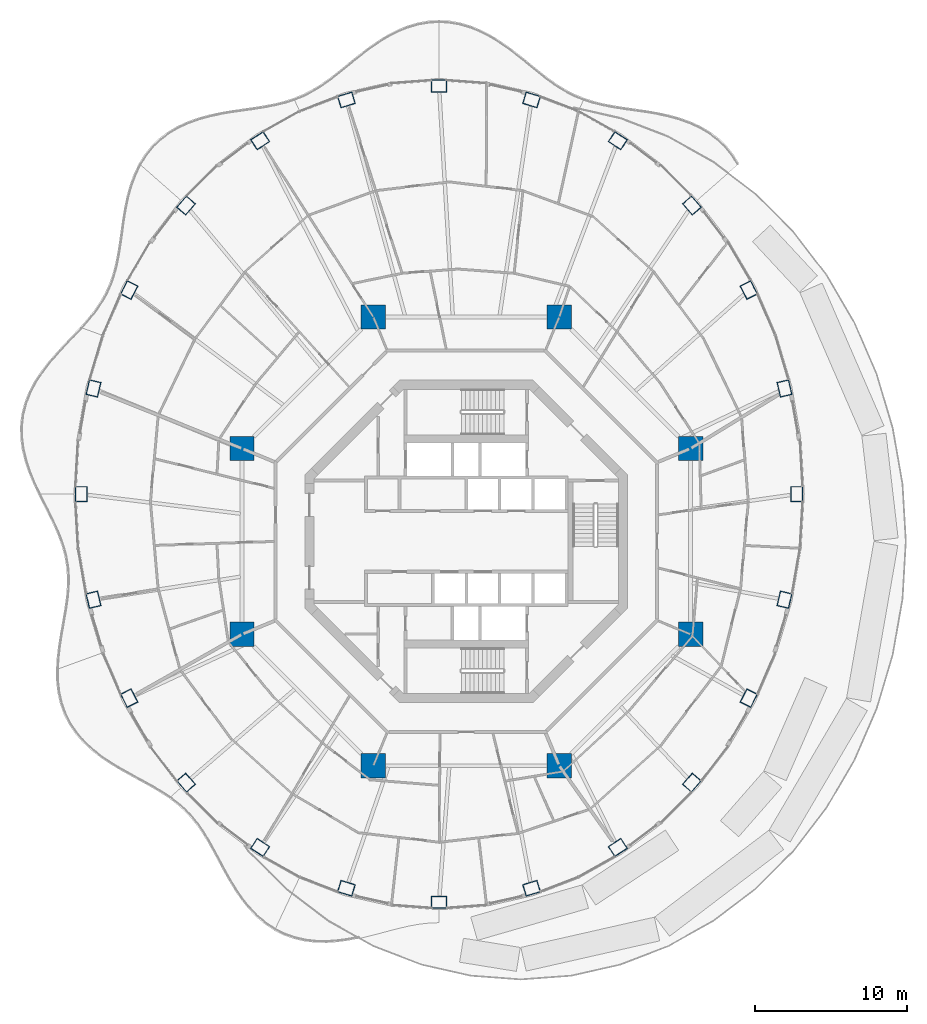
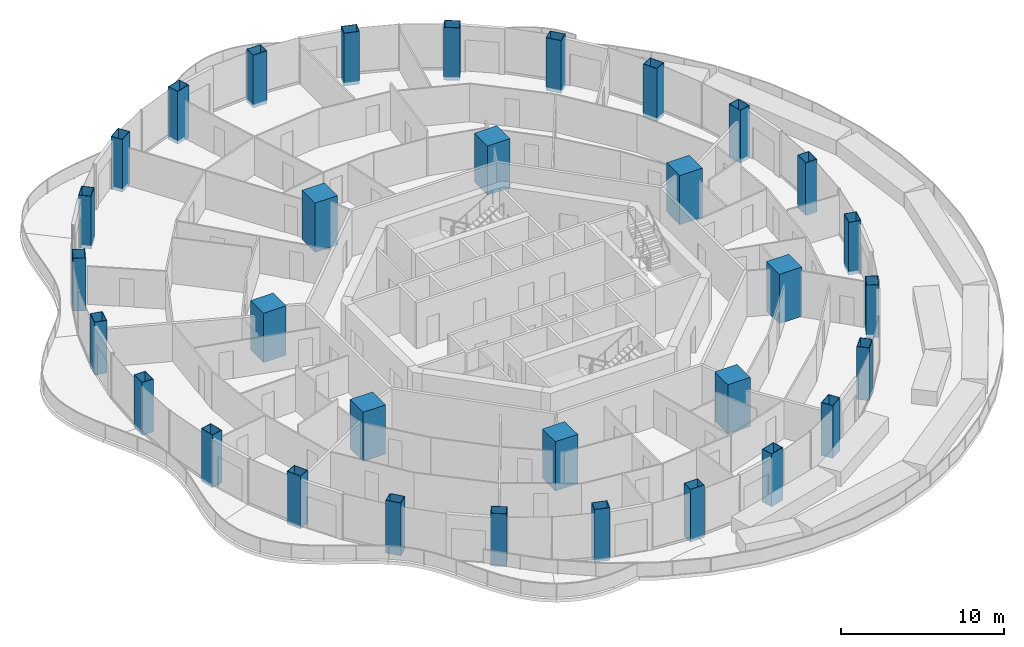
# One storey, part 1 of 18: 32 columns.
"""IFC4 building model written with IfcOpenShell, lengths in metres."""

from ifc_helpers import new_model, si_unit, direction, frame, origin, origin_2d, place, context, subcontext, project, spatial, rectangle, hollow_rectangle, extrude, material, material_profile, profile_set, type_object, element, save


model = new_model("IFC4")

# Units and contexts
model_context = context("Model", 3, precision=1e-05, world=origin(), true_north=direction((0.0, 1.0)))
body_context = subcontext(model_context, "Body", "Model", "MODEL_VIEW")
ifc_project = project(units=[si_unit("LENGTHUNIT", "METRE"), si_unit("AREAUNIT", "SQUARE_METRE"), si_unit("VOLUMEUNIT", "CUBIC_METRE"), si_unit("PLANEANGLEUNIT", "RADIAN"), si_unit("MASSUNIT", "GRAM", prefix="KILO")], contexts=[model_context])

# Site, building, storey
site_placement = place(None, origin())
site = spatial("IfcSite", under=ifc_project, at=site_placement, CompositionType="ELEMENT")
building_placement = place(site_placement, origin())
building = spatial("IfcBuilding", under=site, at=building_placement, Name="Nagisa Residences", CompositionType="ELEMENT")
storey_placement = place(building_placement, frame((0.0, 0.0, 212.199951171875)))
storey = spatial("IfcBuildingStorey", under=building, at=storey_placement, Name="L53", CompositionType="ELEMENT", Elevation=212.199951171875)

# Columns
ifc_material_1 = material(Name="Concrete C80", Category="concrete")
ifc_material_profile_1 = material_profile(ifc_material_1, rectangle(XDim=1.60009765625, YDim=1.60009765625, at=origin_2d()), Name="C80 1600x1600")
ifc_profile_set_1 = profile_set([ifc_material_profile_1], Name="Concrete C80")
column_type_1 = type_object("IfcColumnType", Name="Inner megacolumn C80 1600x1600", PredefinedType="COLUMN", material=ifc_profile_set_1)
for number, where, z_axis, x_axis, name in (
    (1, (14.781982421875, 6.123046875, 0.0), (0.0, 0.0, 1.0), (1.0, 0.0, 0.0), "col:L53:i1"),
    (2, (6.123046875, 14.781982421875, 0.0), (0.0, 0.0, 1.0), (1.0, 0.0, 0.0), "col:L53:i2"),
    (3, (-6.123046875, 14.781982421875, 0.0), (0.0, 0.0, 1.0), (1.0, 0.0, 0.0), "col:L53:i3"),
    (4, (-14.781982421875, 6.123046875, 0.0), (0.0, 0.0, 1.0), (1.0, 0.0, 0.0), "col:L53:i4"),
    (5, (-14.781982421875, -6.123046875, 0.0), (0.0, 0.0, 1.0), (1.0, 0.0, 0.0), "col:L53:i5"),
    (6, (-6.123046875, -14.781982421875, 0.0), (0.0, 0.0, 1.0), (1.0, 0.0, 0.0), "col:L53:i6"),
    (7, (6.123046875, -14.781982421875, 0.0), (0.0, 0.0, 1.0), (1.0, 0.0, 0.0), "col:L53:i7"),
    (8, (14.781982421875, -6.123046875, 0.0), (0.0, 0.0, 1.0), (1.0, 0.0, 0.0), "col:L53:i8"),
):
    element("IfcColumn", number, at=place(storey_placement, frame(where, z_axis=z_axis, x_axis=x_axis)), inside=storey, type_object=column_type_1, Name=name, PredefinedType="COLUMN", context=body_context, shape_type="SweptSolid", body=[
        extrude(rectangle(XDim=1.60009765625, YDim=1.60009765625, at=origin_2d()), origin(), (0.0, 0.0, 1.0), 3.699951171875),
    ])
ifc_material_2 = material(Name="Steel ASTM A572 Gr 50", Category="steel")
ifc_material_profile_2 = material_profile(ifc_material_2, hollow_rectangle(XDim=1.0, YDim=0.800048828125, WallThickness=0.031982421875, at=origin_2d()), Name="BX 1000x800x32")
ifc_profile_set_2 = profile_set([ifc_material_profile_2], Name="Steel ASTM A572 Gr 50")
column_type_2 = type_object("IfcColumnType", Name="Perimeter column BX 1000x800x32", PredefinedType="COLUMN", material=ifc_profile_set_2)
for number, where, z_axis, x_axis, name in (
    (9, (21.77001953125, 3.11767578125, -0.260009765625), (0.0, 0.0, 1.0), (0.0, 1.0, 0.0), "col:L53:p00"),
    (10, (20.966796875, 10.077392578125, -0.260009765625), (0.0, 0.0, 1.0), (-0.229202013103, 0.973378876486, 0.0), "col:L53:p01"),
    (11, (18.6123046875, 16.562744140625, -0.260009765625), (0.0, 0.0, 1.0), (-0.452462697578, 0.891783329795, 0.0), "col:L53:p02"),
    (12, (14.866455078125, 22.1318359375, -0.260009765625), (0.0, 0.0, 1.0), (-0.660114607735, 0.751164898445, 0.0), "col:L53:p03"),
    (13, (9.985107421875, 26.405029296875, -0.260009765625), (0.0, 0.0, 1.0), (-0.835766105673, 0.54908561865, 0.0), "col:L53:p04"),
    (14, (4.30029296875, 29.091552734375, -0.260009765625), (0.0, 0.0, 1.0), (-0.956524583408, 0.291651712384, 0.0), "col:L53:p05"),
    (15, (-1.800048828125, 30.0078125, -0.260009765625), (0.0, 0.0, 1.0), (-1.0, 0.0, 0.0), "col:L53:p06"),
    (16, (-7.900390625, 29.091552734375, -0.260009765625), (0.0, 0.0, 1.0), (-0.956524583408, -0.291651712384, 0.0), "col:L53:p07"),
    (17, (-13.5849609375, 26.405029296875, -0.260009765625), (0.0, 0.0, 1.0), (-0.835766105673, -0.54908561865, 0.0), "col:L53:p08"),
    (18, (-18.466552734375, 22.1318359375, -0.260009765625), (0.0, 0.0, 1.0), (-0.660114607735, -0.751164898445, 0.0), "col:L53:p09"),
    (19, (-22.212158203125, 16.562744140625, -0.260009765625), (0.0, 0.0, 1.0), (-0.452462697578, -0.891783329795, 0.0), "col:L53:p10"),
    (20, (-24.56689453125, 10.077392578125, -0.260009765625), (0.0, 0.0, 1.0), (-0.229202013103, -0.973378876486, 0.0), "col:L53:p11"),
    (21, (-25.3701171875, 3.11767578125, -0.260009765625), (0.0, 0.0, 1.0), (0.0, -1.0, 0.0), "col:L53:p12"),
    (22, (-24.56689453125, -3.842041015625, -0.260009765625), (0.0, 0.0, 1.0), (0.229202013103, -0.973378876486, 0.0), "col:L53:p13"),
    (23, (-22.212158203125, -10.327392578125, -0.260009765625), (0.0, 0.0, 1.0), (0.452462697578, -0.891783329795, 0.0), "col:L53:p14"),
    (24, (-18.466552734375, -15.896484375, -0.260009765625), (0.0, 0.0, 1.0), (0.660114607735, -0.751164898445, 0.0), "col:L53:p15"),
    (25, (-13.5849609375, -20.169677734375, -0.260009765625), (0.0, 0.0, 1.0), (0.835766105673, -0.54908561865, 0.0), "col:L53:p16"),
    (26, (-7.900390625, -22.85595703125, -0.260009765625), (0.0, 0.0, 1.0), (0.956524583408, -0.291651712384, 0.0), "col:L53:p17"),
    (27, (-1.800048828125, -23.772216796875, -0.260009765625), (0.0, 0.0, 1.0), (1.0, 0.0, 0.0), "col:L53:p18"),
    (28, (4.30029296875, -22.85595703125, -0.260009765625), (0.0, 0.0, 1.0), (0.956524583408, 0.291651712384, 0.0), "col:L53:p19"),
    (29, (9.985107421875, -20.169677734375, -0.260009765625), (0.0, 0.0, 1.0), (0.835766105673, 0.54908561865, 0.0), "col:L53:p20"),
    (30, (14.866455078125, -15.896484375, -0.260009765625), (0.0, 0.0, 1.0), (0.660114607735, 0.751164898445, 0.0), "col:L53:p21"),
    (31, (18.6123046875, -10.327392578125, -0.260009765625), (0.0, 0.0, 1.0), (0.452462697578, 0.891783329795, 0.0), "col:L53:p22"),
    (32, (20.966796875, -3.842041015625, -0.260009765625), (0.0, 0.0, 1.0), (0.229202013103, 0.973378876486, 0.0), "col:L53:p23"),
):
    element("IfcColumn", number, at=place(storey_placement, frame(where, z_axis=z_axis, x_axis=x_axis)), inside=storey, type_object=column_type_2, Name=name, PredefinedType="COLUMN", context=body_context, shape_type="SweptSolid", body=[
        extrude(hollow_rectangle(XDim=1.0, YDim=0.800048828125, WallThickness=0.031982421875, at=origin_2d()), origin(), (0.0, 0.0, 1.0), 3.9599609375),
    ])

save(model, "model.ifc")
